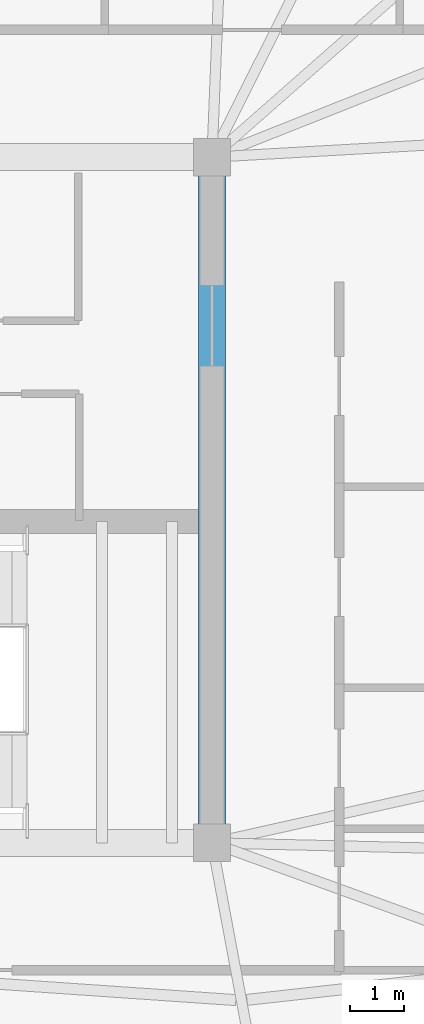
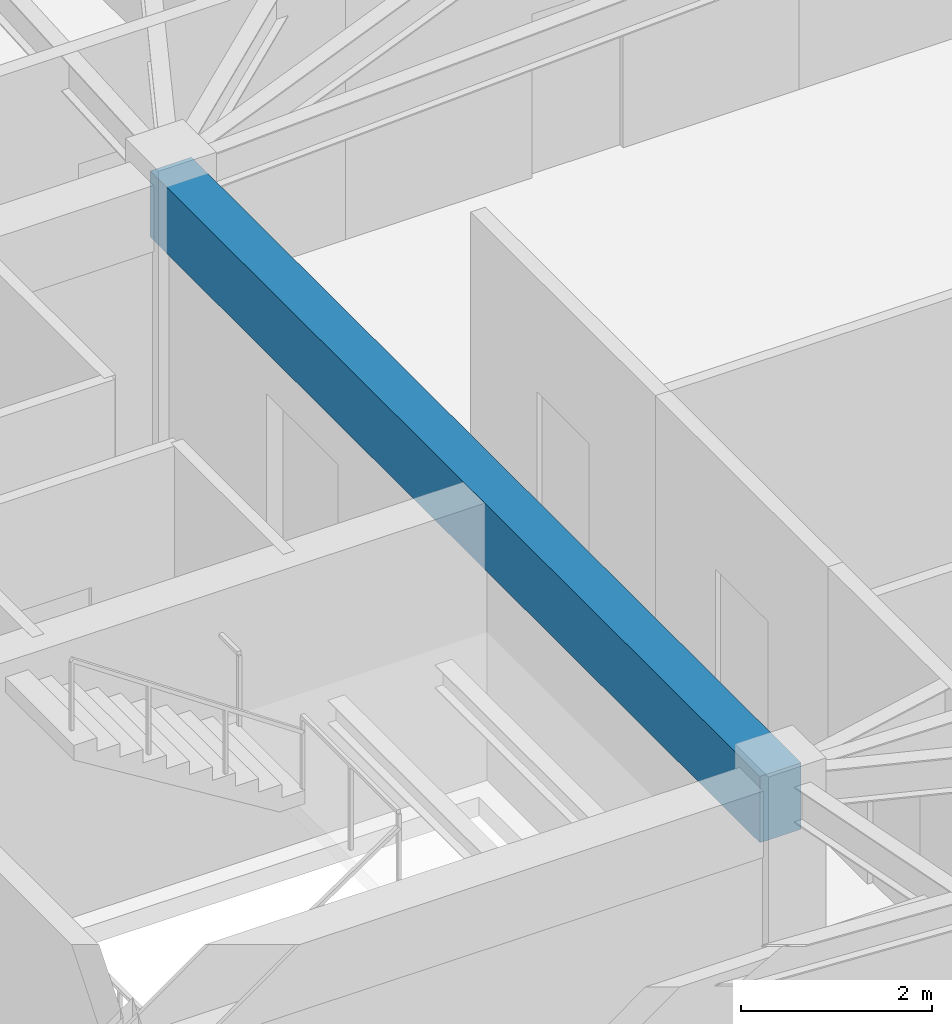
# One storey, part 8 of 29: 1 beam.
"""IFC4 building model written with IfcOpenShell, lengths in metres."""

from ifc_helpers import new_model, si_unit, direction, frame, origin, origin_2d, place, context, subcontext, project, spatial, rectangle, extrude, material, material_profile, profile_set, type_object, element, save


model = new_model("IFC4")

# Units and contexts
model_context = context("Model", 3, precision=1e-05, world=origin(), true_north=direction((0.0, 1.0)))
body_context = subcontext(model_context, "Body", "Model", "MODEL_VIEW")
ifc_project = project(units=[si_unit("LENGTHUNIT", "METRE"), si_unit("AREAUNIT", "SQUARE_METRE"), si_unit("VOLUMEUNIT", "CUBIC_METRE"), si_unit("PLANEANGLEUNIT", "RADIAN"), si_unit("MASSUNIT", "GRAM", prefix="KILO")], contexts=[model_context])

# Site, building, storey
site_placement = place(None, origin())
site = spatial("IfcSite", under=ifc_project, at=site_placement, CompositionType="ELEMENT")
building_placement = place(site_placement, origin())
building = spatial("IfcBuilding", under=site, at=building_placement, Name="Kazevale Care Tower and Concert Hall", CompositionType="ELEMENT")
storey_placement = place(building_placement, frame((0.0, 0.0, 285.199951171875)))
storey = spatial("IfcBuildingStorey", under=building, at=storey_placement, Name="L75", CompositionType="ELEMENT", Elevation=285.199951171875)

# Beam
ifc_material = material(Name="Concrete C60", Category="concrete")
ifc_material_profile = material_profile(ifc_material, rectangle(XDim=0.5, YDim=0.85009765625, at=origin_2d()), Name="RC-B500x850")
ifc_profile_set = profile_set([ifc_material_profile], Name="Concrete C60")
beam_type = type_object("IfcBeamType", Name="Core Coupling Beam RC500x850", PredefinedType="LINTEL", material=ifc_profile_set)
beam_placement = place(storey_placement, frame((44.0, 23.60009765625, 3.135009765625), z_axis=(0.0, 1.0, 0.0), x_axis=(-1.0, 0.0, 0.0)))
element("IfcBeam", 1, at=beam_placement, inside=storey, type_object=beam_type, Name="beam:L75:coretie:4", PredefinedType="LINTEL", context=body_context, shape_type="SweptSolid", body=[
    extrude(rectangle(XDim=0.5, YDim=0.85009765625, at=origin_2d()), origin(), (0.0, 0.0, 1.0), 12.7998046875),
])

save(model, "model.ifc")
